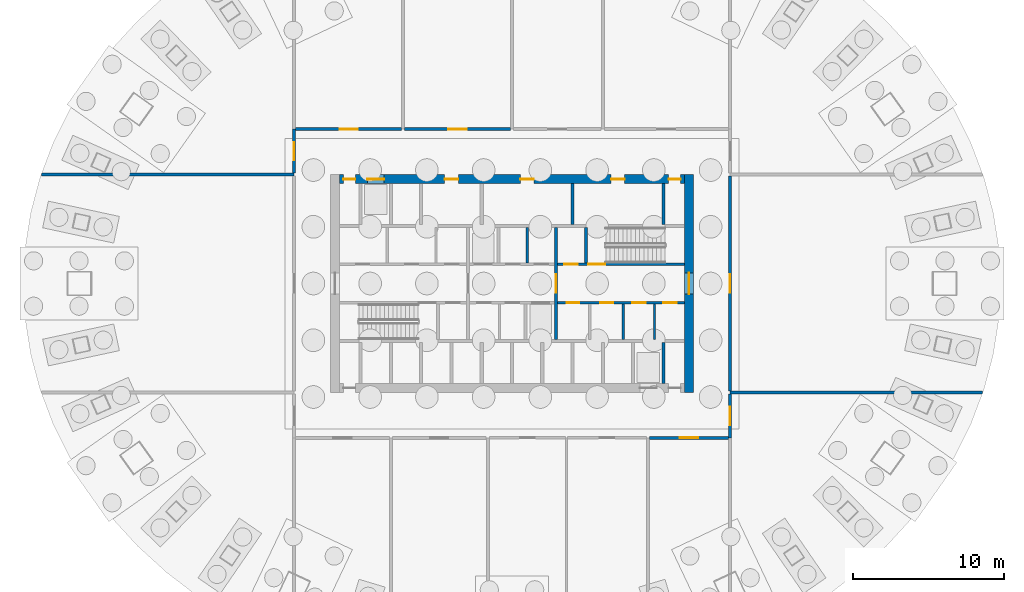
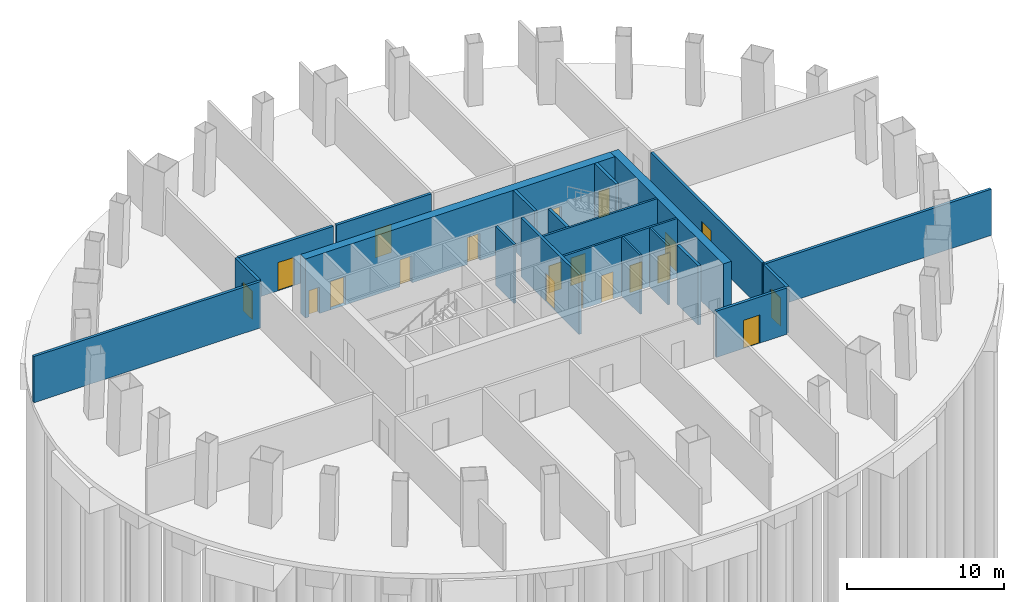
# One storey, part 4 of 7: 20 doors, 20 walls, 20 openings.
"""IFC4 building model written with IfcOpenShell, lengths in metres."""

import ifcopenshell
import ifcopenshell.guid

model = None  # the IFC model being written
_history = None  # IfcOwnerHistory: only IFC2X3 demands one
_inside = {}  # id of a spatial element -> (the spatial element, [elements in it])
_under = {}  # id of a project, library or spatial element -> (it, [spatial elements below it])
_declared = {}  # id of a project -> (the project, [libraries it declares])
_typed = {}  # id of a type object -> (the type object, [elements of that type])
_made_of = {}  # id of a material, layer set ... -> (it, [elements and type objects made of it])


def new_model(schema):
    """Start an empty IFC model of exactly this schema.

    Asked for "IFC4X3", IfcOpenShell would pick the latest addendum, in which some entities
    have other attributes; the version numbers below select the first issue.
    IFC2X3 requires an IfcOwnerHistory on every rooted entity: one is made here for all.
    """
    global model, _history
    if schema == "IFC4X3":
        model = ifcopenshell.file(schema_version=(4, 3, 0, 0))
    else:
        model = ifcopenshell.file(schema=schema)
    _inside.clear()
    _under.clear()
    _declared.clear()
    _typed.clear()
    _made_of.clear()
    _history = None
    if model.schema == "IFC2X3":
        org = make("IfcOrganization", Name="unknown")
        user = make(
            "IfcPersonAndOrganization",
            ThePerson=make("IfcPerson", FamilyName="unknown"),
            TheOrganization=org,
        )
        app = make(
            "IfcApplication",
            ApplicationDeveloper=org,
            Version="unknown",
            ApplicationFullName="unknown",
            ApplicationIdentifier="unknown",
        )
        _history = make(
            "IfcOwnerHistory",
            OwningUser=user,
            OwningApplication=app,
            ChangeAction="ADDED",
            CreationDate=0,
        )
    return model


def make(cls, **values):
    """One entity of the class cls with the attributes given. An attribute that is None is left unset."""
    return model.create_entity(
        cls, **{name: value for name, value in values.items() if value is not None}
    )


def rooted(cls, **values):
    """An entity with a GlobalId (a new one), such as an element, a storey or a relation."""
    return make(cls, GlobalId=ifcopenshell.guid.new(), OwnerHistory=_history, **values)


def si_unit(unit_type, name, prefix=None):
    """IfcSIUnit, for example si_unit("LENGTHUNIT", "METRE", prefix="MILLI")."""
    return make("IfcSIUnit", UnitType=unit_type, Prefix=prefix, Name=name)


def assignment(units):
    """IfcUnitAssignment: the units of a project."""
    return None if units is None else make("IfcUnitAssignment", Units=units)


def point(xyz):
    """IfcCartesianPoint."""
    return None if xyz is None else make("IfcCartesianPoint", Coordinates=xyz)


def direction(xyz):
    """IfcDirection."""
    return None if xyz is None else make("IfcDirection", DirectionRatios=xyz)


def frame(location, z_axis=None, x_axis=None):
    """IfcAxis2Placement3D, a coordinate frame: its origin and axes. An axis left out is left unset."""
    return make(
        "IfcAxis2Placement3D",
        Location=point(location),
        Axis=direction(z_axis),
        RefDirection=direction(x_axis),
    )


def frame_2d(location, x_axis=None):
    """IfcAxis2Placement2D, a coordinate frame in the plane: its origin and x axis."""
    return make(
        "IfcAxis2Placement2D", Location=point(location), RefDirection=direction(x_axis)
    )


def origin():
    """The frame at (0, 0, 0) with its axes left unset."""
    return frame((0.0, 0.0, 0.0))


def place(relative_to, where):
    """IfcLocalPlacement: puts the frame where relative to a parent placement (None: the world)."""
    return make(
        "IfcLocalPlacement", PlacementRelTo=relative_to, RelativePlacement=where
    )


def context(
    kind, dimensions, precision=None, world=None, true_north=None, identifier=None
):
    """IfcGeometricRepresentationContext, for example the 3D "Model" context."""
    return make(
        "IfcGeometricRepresentationContext",
        ContextIdentifier=identifier,
        ContextType=kind,
        CoordinateSpaceDimension=dimensions,
        Precision=precision,
        WorldCoordinateSystem=world,
        TrueNorth=true_north,
    )


def subcontext(parent, identifier, kind, view, scale=None):
    """IfcGeometricRepresentationSubContext, for example "Body" below "Model"."""
    return make(
        "IfcGeometricRepresentationSubContext",
        ContextIdentifier=identifier,
        ContextType=kind,
        ParentContext=parent,
        TargetScale=scale,
        TargetView=view,
    )


def project(units=None, contexts=None):
    """IfcProject with its units and contexts."""
    return rooted(
        "IfcProject",
        Name="project",
        RepresentationContexts=contexts,
        UnitsInContext=assignment(units),
    )


def spatial(cls, under=None, at=None, **own):
    """A site, building, storey or space (cls), placed at a placement, below another one or the project."""
    s = rooted(cls, ObjectPlacement=at, **own)
    if under is not None:
        _under.setdefault(under.id(), (under, []))[1].append(s)
    return s


def profile(cls, at=None, kind="AREA", **sizes):
    """A parametric profile (cls). Its sizes go by their IFC names, for example OverallWidth=200.0."""
    return make(cls, ProfileType=kind, Position=at, **sizes)


def rectangle(**sizes):
    """IfcRectangleProfileDef."""
    return profile("IfcRectangleProfileDef", **sizes)


def extrude(swept, where, along, depth):
    """IfcExtrudedAreaSolid: the profile swept, set in the frame where, extruded along a direction by depth."""
    return make(
        "IfcExtrudedAreaSolid",
        SweptArea=swept,
        Position=where,
        ExtrudedDirection=direction(along),
        Depth=depth,
    )


def shape(context_of_items, identifier, shape_type, items):
    """IfcShapeRepresentation: the items that make up one representation, for example the "Body"."""
    return make(
        "IfcShapeRepresentation",
        ContextOfItems=context_of_items,
        RepresentationIdentifier=identifier,
        RepresentationType=shape_type,
        Items=items,
    )


def material(Name=None, Category=None):
    """IfcMaterial."""
    return make("IfcMaterial", Name=Name, Category=Category)


def layer(
    of_material, thickness, ventilated=None, Name=None, Category=None, Priority=None
):
    """IfcMaterialLayer: one layer of a wall or slab, of a material (None: an air gap)."""
    return make(
        "IfcMaterialLayer",
        Material=of_material,
        LayerThickness=thickness,
        IsVentilated=ventilated,
        Name=Name,
        Category=Category,
        Priority=Priority,
    )


def layer_set(layers, Name=None):
    """IfcMaterialLayerSet."""
    return make("IfcMaterialLayerSet", MaterialLayers=layers, LayerSetName=Name)


def made_of(thing, what):
    """Note that an element or type object is made of a material, layer set ...; save() writes the relation."""
    if what is not None:
        _made_of.setdefault(what.id(), (what, []))[1].append(thing)
    return thing


def type_object(cls, material=None, **own):
    """A type object (cls), such as IfcWallType, which elements share."""
    return made_of(rooted(cls, **own), material)


def element(
    cls,
    number,
    at=None,
    inside=None,
    cuts=None,
    type_object=None,
    material=None,
    context=None,
    identifier="Body",
    shape_type=None,
    held_by="IfcProductDefinitionShape",
    body=None,
    shapes=None,
    **own,
):
    """One element of the class cls, such as IfcWall. Its Tag is "e" and its number.

    at: its placement. inside: the storey or other place that contains it. cuts: it is an
    opening in that element (IfcRelVoidsElement). A single representation is given by context,
    identifier, shape_type and body (its items); several are given by shapes. held_by: the class
    of the entity that holds the representations. save() writes the other relations.
    """
    e = rooted(cls, Tag="e%d" % number, ObjectPlacement=at, **own)
    if body is not None:
        shapes = [shape(context, identifier, shape_type, body)]
    if shapes is not None:
        e.Representation = make(held_by, Representations=shapes)
    if inside is not None:
        _inside.setdefault(inside.id(), (inside, []))[1].append(e)
    if cuts is not None:
        rooted(
            "IfcRelVoidsElement", RelatingBuildingElement=cuts, RelatedOpeningElement=e
        )
    if type_object is not None:
        _typed.setdefault(type_object.id(), (type_object, []))[1].append(e)
    return made_of(e, material)


def fill(opening, filler):
    """IfcRelFillsElement: the door or window that sits in an opening."""
    return rooted(
        "IfcRelFillsElement",
        RelatingOpeningElement=opening,
        RelatedBuildingElement=filler,
    )


def aggregate(whole, parts):
    """IfcRelAggregates: a whole, such as a stair, and the parts it consists of."""
    return rooted("IfcRelAggregates", RelatingObject=whole, RelatedObjects=parts)


def save(model, path):
    """Write the relations noted so far, then the file.

    IfcRelAggregates (storeys below a building ...), IfcRelContainedInSpatialStructure (elements
    in a storey), IfcRelDefinesByType, IfcRelAssociatesMaterial and IfcRelDeclares: one each for
    every whole, place, type object, material and project.
    """
    for whole, parts in _under.values():
        aggregate(whole, parts)
    for where, things in _inside.values():
        rooted(
            "IfcRelContainedInSpatialStructure",
            RelatedElements=things,
            RelatingStructure=where,
        )
    for kind, things in _typed.values():
        rooted("IfcRelDefinesByType", RelatedObjects=things, RelatingType=kind)
    for what, things in _made_of.values():
        rooted("IfcRelAssociatesMaterial", RelatedObjects=things, RelatingMaterial=what)
    for by, libraries in _declared.values():
        rooted("IfcRelDeclares", RelatingContext=by, RelatedDefinitions=libraries)
    model.write(path)


model = new_model("IFC4")

# Units and contexts
model_context = context("Model", 3, precision=1e-05, world=origin(), true_north=direction((0.0, 1.0)))
body_context = subcontext(model_context, "Body", "Model", "MODEL_VIEW")
ifc_project = project(units=[si_unit("LENGTHUNIT", "METRE"), si_unit("AREAUNIT", "SQUARE_METRE"), si_unit("VOLUMEUNIT", "CUBIC_METRE"), si_unit("PLANEANGLEUNIT", "RADIAN"), si_unit("MASSUNIT", "GRAM", prefix="KILO")], contexts=[model_context])

# Site, building, storey
site_placement = place(None, origin())
site = spatial("IfcSite", under=ifc_project, at=site_placement, CompositionType="ELEMENT")
building_placement = place(site_placement, origin())
building = spatial("IfcBuilding", under=site, at=building_placement, Name="Siaravel Broadcast Tower", CompositionType="ELEMENT")
storey_placement = place(building_placement, frame((0.0, 0.0, -5.0)))
storey = spatial("IfcBuildingStorey", under=building, at=storey_placement, Name="B1", CompositionType="ELEMENT", Elevation=-5.0)

# Walls
ifc_material_1 = material(Name="Concrete blockwork", Category="masonry")
ifc_layer_1 = layer(ifc_material_1, 0.14990234375)
ifc_layer_set_1 = layer_set([ifc_layer_1], Name="Concrete blockwork")
wall_type_1 = type_object("IfcWallType", Name="Core partition 150", PredefinedType="PARTITIONING", material=ifc_layer_set_1)
for number, where, z_axis, x_axis, name in (
    (1, (7.35888671875, -3.699951171875, 0.0), (0.0, 0.0, 1.0), (0.0, 1.0, 0.0), "B1 core partition PSE1"),
    (2, (9.4169921875, -3.699951171875, 0.0), (0.0, 0.0, 1.0), (0.0, 1.0, 0.0), "B1 core partition PSE2"),
    (3, (1.0, 1.35009765625, 0.0), (0.0, 0.0, 1.0), (0.0, 1.0, 0.0), "B1 core partition PNM0"),
):
    element("IfcWall", number, at=place(storey_placement, frame(where, z_axis=z_axis, x_axis=x_axis)), inside=storey, type_object=wall_type_1, Name=name, PredefinedType="PARTITIONING", context=body_context, shape_type="SweptSolid", body=[
        extrude(rectangle(XDim=2.349853515625, YDim=0.14990234375, at=frame_2d((1.1748046875, 0.0))), origin(), (0.0, 0.0, 1.0), 4.60009765625),
    ])
ifc_layer_2 = layer(ifc_material_1, 0.199951171875)
ifc_layer_set_2 = layer_set([ifc_layer_2], Name="Concrete blockwork")
wall_type_2 = type_object("IfcWallType", Name="Core partition 200", PredefinedType="PARTITIONING", material=ifc_layer_set_2)
wall_1_placement = place(storey_placement, frame((4.0, 3.89990234375, 0.0), z_axis=(0.0, 0.0, 1.0), x_axis=(0.0, 1.0, 0.0)))
element("IfcWall", 4, at=wall_1_placement, inside=storey, type_object=wall_type_2, Name="B1 core partition PFN4", PredefinedType="PARTITIONING", context=body_context, shape_type="SweptSolid", body=[
    extrude(rectangle(XDim=2.7001953125, YDim=0.199951171875, at=frame_2d((1.35009765625, 0.0))), origin(), (0.0, 0.0, 1.0), 4.60009765625),
])

# Wall, opening, door
ifc_material_2 = material(Name="Concrete C60/75", Category="concrete")
ifc_layer_3 = layer(ifc_material_2, 0.60009765625)
ifc_layer_set_3 = layer_set([ifc_layer_3], Name="Concrete C60/75")
wall_type_3 = type_object("IfcWallType", Name="Core wall 600", PredefinedType="SHEAR", material=ifc_layer_set_3)
wall_2_placement = place(storey_placement, frame((11.699951171875, -7.199951171875, 0.0), z_axis=(0.0, 0.0, 1.0), x_axis=(0.0, 1.0, 0.0)))
wall_2 = element("IfcWall", 5, at=wall_2_placement, inside=storey, type_object=wall_type_3, Name="B1 core wall OE", PredefinedType="SHEAR", context=body_context, shape_type="SweptSolid", body=[
    extrude(rectangle(XDim=14.39990234375, YDim=0.60009765625, at=frame_2d((7.199951171875, 0.0))), origin(), (0.0, 0.0, 1.0), 4.60009765625),
])
opening_1_placement = place(wall_2_placement, frame((6.5, 0.0, 0.0)))
opening_1 = element("IfcOpeningElement", 6, at=opening_1_placement, cuts=wall_2, Name="Opening B1-DX-E", PredefinedType="OPENING", context=body_context, shape_type="SweptSolid", body=[
    extrude(rectangle(XDim=1.39990234375, YDim=2.199951171875, at=frame_2d((0.699951171875, 1.10009765625))), frame((0.0, 0.31005859375, 0.0), z_axis=(0.0, -1.0, 0.0), x_axis=(1.0, 0.0, 0.0)), (0.0, 0.0, 1.0), 0.6201171875),
])
ifc_material_3 = material(Name="Steel", Category="steel")
door_type_1 = type_object("IfcDoorType", Name="Core exit door 1400", OperationType="DOUBLE_DOOR_SINGLE_SWING", PredefinedType="DOOR", material=ifc_material_3)
door_1_placement = place(opening_1_placement, origin())
door_1 = element("IfcDoor", 7, at=door_1_placement, inside=storey, type_object=door_type_1, Name="B1 door DX-E", OperationType="DOUBLE_DOOR_SINGLE_SWING", OverallHeight=2.199951171875, OverallWidth=1.39990234375, PredefinedType="DOOR", context=body_context, shape_type="SweptSolid", body=[
    extrude(rectangle(XDim=1.39990234375, YDim=2.199951171875, at=frame_2d((0.699951171875, 1.10009765625))), frame((0.0, 0.02490234375, 0.0), z_axis=(0.0, -1.0, 0.0), x_axis=(1.0, 0.0, 0.0)), (0.0, 0.0, 1.0), 0.050048828125),
])
fill(opening_1, door_1)

# Wall, openings, doors
wall_3_placement = place(storey_placement, frame((-11.39990234375, 6.89990234375, 0.0), z_axis=(0.0, 0.0, 1.0), x_axis=(1.0, 0.0, 0.0)))
wall_3 = element("IfcWall", 8, at=wall_3_placement, inside=storey, type_object=wall_type_3, Name="B1 core wall ON", PredefinedType="SHEAR", context=body_context, shape_type="SweptSolid", body=[
    extrude(rectangle(XDim=22.7998046875, YDim=0.60009765625, at=frame_2d((11.39990234375, 0.0))), origin(), (0.0, 0.0, 1.0), 4.60009765625),
])
opening_2_placement = place(wall_3_placement, frame((1.85009765625, 0.0, 0.0)))
opening_2 = element("IfcOpeningElement", 9, at=opening_2_placement, cuts=wall_3, Name="Opening LD-SV2-B1", PredefinedType="OPENING", context=body_context, shape_type="SweptSolid", body=[
    extrude(rectangle(XDim=1.10009765625, YDim=2.199951171875, at=frame_2d((0.550048828125, 1.10009765625))), frame((0.0, 0.31005859375, 0.0), z_axis=(0.0, -1.0, 0.0), x_axis=(1.0, 0.0, 0.0)), (0.0, 0.0, 1.0), 0.6201171875),
])
opening_3_placement = place(wall_3_placement, frame((6.949951171875, 0.0, 0.0)))
opening_3 = element("IfcOpeningElement", 10, at=opening_3_placement, cuts=wall_3, Name="Opening B1-DFN2", PredefinedType="OPENING", context=body_context, shape_type="SweptSolid", body=[
    extrude(rectangle(XDim=0.89990234375, YDim=2.10009765625, at=frame_2d((0.449951171875, 1.050048828125))), frame((0.0, 0.31005859375, 0.0), z_axis=(0.0, -1.0, 0.0), x_axis=(1.0, 0.0, 0.0)), (0.0, 0.0, 1.0), 0.6201171875),
])
opening_4_placement = place(wall_3_placement, frame((11.949951171875, 0.0, 0.0)))
opening_4 = element("IfcOpeningElement", 11, at=opening_4_placement, cuts=wall_3, Name="Opening B1-DFN4", PredefinedType="OPENING", context=body_context, shape_type="SweptSolid", body=[
    extrude(rectangle(XDim=0.89990234375, YDim=2.10009765625, at=frame_2d((0.449951171875, 1.050048828125))), frame((0.0, 0.31005859375, 0.0), z_axis=(0.0, -1.0, 0.0), x_axis=(1.0, 0.0, 0.0)), (0.0, 0.0, 1.0), 0.6201171875),
])
opening_5_placement = place(wall_3_placement, frame((17.949951171875, 0.0, 0.0)))
opening_5 = element("IfcOpeningElement", 12, at=opening_5_placement, cuts=wall_3, Name="Opening B1-DFN7", PredefinedType="OPENING", context=body_context, shape_type="SweptSolid", body=[
    extrude(rectangle(XDim=0.89990234375, YDim=2.10009765625, at=frame_2d((0.449951171875, 1.050048828125))), frame((0.0, 0.31005859375, 0.0), z_axis=(0.0, -1.0, 0.0), x_axis=(1.0, 0.0, 0.0)), (0.0, 0.0, 1.0), 0.6201171875),
])
opening_6_placement = place(wall_3_placement, frame((0.25, 0.0, 0.0)))
opening_6 = element("IfcOpeningElement", 13, at=opening_6_placement, cuts=wall_3, Name="Opening B1-DRNW", PredefinedType="OPENING", context=body_context, shape_type="SweptSolid", body=[
    extrude(rectangle(XDim=0.800048828125, YDim=2.050048828125, at=frame_2d((0.39990234375, 1.02490234375))), frame((0.0, 0.31005859375, 0.0), z_axis=(0.0, -1.0, 0.0), x_axis=(1.0, 0.0, 0.0)), (0.0, 0.0, 1.0), 0.6201171875),
])
opening_7_placement = place(wall_3_placement, frame((21.75, 0.0, 0.0)))
opening_7 = element("IfcOpeningElement", 14, at=opening_7_placement, cuts=wall_3, Name="Opening B1-DRNE", PredefinedType="OPENING", context=body_context, shape_type="SweptSolid", body=[
    extrude(rectangle(XDim=0.800048828125, YDim=2.050048828125, at=frame_2d((0.39990234375, 1.02490234375))), frame((0.0, 0.31005859375, 0.0), z_axis=(0.0, -1.0, 0.0), x_axis=(1.0, 0.0, 0.0)), (0.0, 0.0, 1.0), 0.6201171875),
])
ifc_material_4 = material(Name="Timber veneer", Category="wood")
door_type_2 = type_object("IfcDoorType", Name="Core room door 900", OperationType="SINGLE_SWING_LEFT", PredefinedType="DOOR", material=ifc_material_4)
door_2_placement = place(opening_3_placement, origin())
door_2 = element("IfcDoor", 15, at=door_2_placement, inside=storey, type_object=door_type_2, Name="B1 door DFN2", OperationType="SINGLE_SWING_LEFT", OverallHeight=2.10009765625, OverallWidth=0.89990234375, PredefinedType="DOOR", context=body_context, shape_type="SweptSolid", body=[
    extrude(rectangle(XDim=0.89990234375, YDim=2.10009765625, at=frame_2d((0.449951171875, 1.050048828125))), frame((0.0, 0.02490234375, 0.0), z_axis=(0.0, -1.0, 0.0), x_axis=(1.0, 0.0, 0.0)), (0.0, 0.0, 1.0), 0.050048828125),
])
fill(opening_3, door_2)
door_3_placement = place(opening_4_placement, origin())
door_3 = element("IfcDoor", 16, at=door_3_placement, inside=storey, type_object=door_type_2, Name="B1 door DFN4", OperationType="SINGLE_SWING_LEFT", OverallHeight=2.10009765625, OverallWidth=0.89990234375, PredefinedType="DOOR", context=body_context, shape_type="SweptSolid", body=[
    extrude(rectangle(XDim=0.89990234375, YDim=2.10009765625, at=frame_2d((0.449951171875, 1.050048828125))), frame((0.0, 0.02490234375, 0.0), z_axis=(0.0, -1.0, 0.0), x_axis=(1.0, 0.0, 0.0)), (0.0, 0.0, 1.0), 0.050048828125),
])
fill(opening_4, door_3)
door_4_placement = place(opening_5_placement, origin())
door_4 = element("IfcDoor", 17, at=door_4_placement, inside=storey, type_object=door_type_2, Name="B1 door DFN7", OperationType="SINGLE_SWING_LEFT", OverallHeight=2.10009765625, OverallWidth=0.89990234375, PredefinedType="DOOR", context=body_context, shape_type="SweptSolid", body=[
    extrude(rectangle(XDim=0.89990234375, YDim=2.10009765625, at=frame_2d((0.449951171875, 1.050048828125))), frame((0.0, 0.02490234375, 0.0), z_axis=(0.0, -1.0, 0.0), x_axis=(1.0, 0.0, 0.0)), (0.0, 0.0, 1.0), 0.050048828125),
])
fill(opening_5, door_4)
door_type_3 = type_object("IfcDoorType", Name="Riser door 800", OperationType="SINGLE_SWING_LEFT", PredefinedType="DOOR", material=ifc_material_3)
door_5_placement = place(opening_6_placement, origin())
door_5 = element("IfcDoor", 18, at=door_5_placement, inside=storey, type_object=door_type_3, Name="B1 door DRNW", OperationType="SINGLE_SWING_LEFT", OverallHeight=2.050048828125, OverallWidth=0.800048828125, PredefinedType="DOOR", context=body_context, shape_type="SweptSolid", body=[
    extrude(rectangle(XDim=0.800048828125, YDim=2.050048828125, at=frame_2d((0.39990234375, 1.02490234375))), frame((0.0, 0.02490234375, 0.0), z_axis=(0.0, -1.0, 0.0), x_axis=(1.0, 0.0, 0.0)), (0.0, 0.0, 1.0), 0.050048828125),
])
fill(opening_6, door_5)
door_6_placement = place(opening_7_placement, origin())
door_6 = element("IfcDoor", 19, at=door_6_placement, inside=storey, type_object=door_type_3, Name="B1 door DRNE", OperationType="SINGLE_SWING_LEFT", OverallHeight=2.050048828125, OverallWidth=0.800048828125, PredefinedType="DOOR", context=body_context, shape_type="SweptSolid", body=[
    extrude(rectangle(XDim=0.800048828125, YDim=2.050048828125, at=frame_2d((0.39990234375, 1.02490234375))), frame((0.0, 0.02490234375, 0.0), z_axis=(0.0, -1.0, 0.0), x_axis=(1.0, 0.0, 0.0)), (0.0, 0.0, 1.0), 0.050048828125),
])
fill(opening_7, door_6)
ifc_material_5 = material(Name="Stainless steel 316L", Category="steel")
door_type_4 = type_object("IfcDoorType", Name="Service lift landing door 1100", OperationType="DOUBLE_DOOR_SLIDING", PredefinedType="DOOR", material=ifc_material_5)
door_7_placement = place(opening_2_placement, origin())
door_7 = element("IfcDoor", 20, at=door_7_placement, inside=storey, type_object=door_type_4, Name="Landing door SV2 B1", OperationType="DOUBLE_DOOR_SLIDING", OverallHeight=2.199951171875, OverallWidth=1.10009765625, PredefinedType="DOOR", context=body_context, shape_type="SweptSolid", body=[
    extrude(rectangle(XDim=1.10009765625, YDim=2.199951171875, at=frame_2d((0.550048828125, 1.10009765625))), frame((0.0, 0.02490234375, 0.0), z_axis=(0.0, -1.0, 0.0), x_axis=(1.0, 0.0, 0.0)), (0.0, 0.0, 1.0), 0.050048828125),
])
fill(opening_2, door_7)

ifc_material_6 = material(Name="Gypsum board partition", Category="gypsum")
ifc_layer_4 = layer(ifc_material_6, 0.14990234375)
ifc_layer_set_4 = layer_set([ifc_layer_4], Name="Gypsum board partition")
wall_type_4 = type_object("IfcWallType", Name="Corridor wall 150", PredefinedType="PARTITIONING", material=ifc_layer_set_4)
wall_4_placement = place(storey_placement, frame((3.0, -1.27490234375, 0.0), z_axis=(0.0, 0.0, 1.0), x_axis=(1.0, 0.0, 0.0)))
wall_4 = element("IfcWall", 21, at=wall_4_placement, inside=storey, type_object=wall_type_4, Name="B1 core partition CSE", PredefinedType="PARTITIONING", context=body_context, shape_type="SweptSolid", body=[
    extrude(rectangle(XDim=8.39990234375, YDim=0.14990234375, at=frame_2d((4.199951171875, 0.0))), origin(), (0.0, 0.0, 1.0), 4.60009765625),
])
opening_8_placement = place(wall_4_placement, frame((0.6083984375, 0.0, 0.0)))
opening_8 = element("IfcOpeningElement", 22, at=opening_8_placement, cuts=wall_4, Name="Opening B1-DSE0", PredefinedType="OPENING", context=body_context, shape_type="SweptSolid", body=[
    extrude(rectangle(XDim=0.85009765625, YDim=2.10009765625, at=frame_2d((0.425048828125, 1.050048828125))), frame((0.0, 0.0849609375, 0.0), z_axis=(0.0, -1.0, 0.0), x_axis=(1.0, 0.0, 0.0)), (0.0, 0.0, 1.0), 0.169921875),
])
opening_9_placement = place(wall_4_placement, frame((2.825439453125, 0.0, 0.0)))
opening_9 = element("IfcOpeningElement", 23, at=opening_9_placement, cuts=wall_4, Name="Opening B1-DSE1", PredefinedType="OPENING", context=body_context, shape_type="SweptSolid", body=[
    extrude(rectangle(XDim=0.85009765625, YDim=2.10009765625, at=frame_2d((0.425048828125, 1.050048828125))), frame((0.0, 0.0849609375, 0.0), z_axis=(0.0, -1.0, 0.0), x_axis=(1.0, 0.0, 0.0)), (0.0, 0.0, 1.0), 0.169921875),
])
opening_10_placement = place(wall_4_placement, frame((4.93798828125, 0.0, 0.0)))
opening_10 = element("IfcOpeningElement", 24, at=opening_10_placement, cuts=wall_4, Name="Opening B1-DSE2", PredefinedType="OPENING", context=body_context, shape_type="SweptSolid", body=[
    extrude(rectangle(XDim=0.89990234375, YDim=2.10009765625, at=frame_2d((0.449951171875, 1.050048828125))), frame((0.0, 0.0849609375, 0.0), z_axis=(0.0, -1.0, 0.0), x_axis=(1.0, 0.0, 0.0)), (0.0, 0.0, 1.0), 0.169921875),
])
opening_11_placement = place(wall_4_placement, frame((6.99609375, 0.0, 0.0)))
opening_11 = element("IfcOpeningElement", 25, at=opening_11_placement, cuts=wall_4, Name="Opening B1-DSE3", PredefinedType="OPENING", context=body_context, shape_type="SweptSolid", body=[
    extrude(rectangle(XDim=0.89990234375, YDim=2.10009765625, at=frame_2d((0.449951171875, 1.050048828125))), frame((0.0, 0.0849609375, 0.0), z_axis=(0.0, -1.0, 0.0), x_axis=(1.0, 0.0, 0.0)), (0.0, 0.0, 1.0), 0.169921875),
])
door_8_placement = place(opening_10_placement, origin())
door_8 = element("IfcDoor", 26, at=door_8_placement, inside=storey, type_object=door_type_2, Name="B1 door DSE2", OperationType="SINGLE_SWING_LEFT", OverallHeight=2.10009765625, OverallWidth=0.89990234375, PredefinedType="DOOR", context=body_context, shape_type="SweptSolid", body=[
    extrude(rectangle(XDim=0.89990234375, YDim=2.10009765625, at=frame_2d((0.449951171875, 1.050048828125))), frame((0.0, 0.02490234375, 0.0), z_axis=(0.0, -1.0, 0.0), x_axis=(1.0, 0.0, 0.0)), (0.0, 0.0, 1.0), 0.050048828125),
])
fill(opening_10, door_8)
door_9_placement = place(opening_11_placement, origin())
door_9 = element("IfcDoor", 27, at=door_9_placement, inside=storey, type_object=door_type_2, Name="B1 door DSE3", OperationType="SINGLE_SWING_LEFT", OverallHeight=2.10009765625, OverallWidth=0.89990234375, PredefinedType="DOOR", context=body_context, shape_type="SweptSolid", body=[
    extrude(rectangle(XDim=0.89990234375, YDim=2.10009765625, at=frame_2d((0.449951171875, 1.050048828125))), frame((0.0, 0.02490234375, 0.0), z_axis=(0.0, -1.0, 0.0), x_axis=(1.0, 0.0, 0.0)), (0.0, 0.0, 1.0), 0.050048828125),
])
fill(opening_11, door_9)
door_type_5 = type_object("IfcDoorType", Name="Core toilet door 850", OperationType="SINGLE_SWING_LEFT", PredefinedType="DOOR", material=ifc_material_4)
door_10_placement = place(opening_8_placement, origin())
door_10 = element("IfcDoor", 28, at=door_10_placement, inside=storey, type_object=door_type_5, Name="B1 door DSE0", OperationType="SINGLE_SWING_LEFT", OverallHeight=2.10009765625, OverallWidth=0.85009765625, PredefinedType="DOOR", context=body_context, shape_type="SweptSolid", body=[
    extrude(rectangle(XDim=0.85009765625, YDim=2.10009765625, at=frame_2d((0.425048828125, 1.050048828125))), frame((0.0, 0.02490234375, 0.0), z_axis=(0.0, -1.0, 0.0), x_axis=(1.0, 0.0, 0.0)), (0.0, 0.0, 1.0), 0.050048828125),
])
fill(opening_8, door_10)
door_11_placement = place(opening_9_placement, origin())
door_11 = element("IfcDoor", 29, at=door_11_placement, inside=storey, type_object=door_type_5, Name="B1 door DSE1", OperationType="SINGLE_SWING_LEFT", OverallHeight=2.10009765625, OverallWidth=0.85009765625, PredefinedType="DOOR", context=body_context, shape_type="SweptSolid", body=[
    extrude(rectangle(XDim=0.85009765625, YDim=2.10009765625, at=frame_2d((0.425048828125, 1.050048828125))), frame((0.0, 0.02490234375, 0.0), z_axis=(0.0, -1.0, 0.0), x_axis=(1.0, 0.0, 0.0)), (0.0, 0.0, 1.0), 0.050048828125),
])
fill(opening_9, door_11)

# Walls
ifc_layer_5 = layer(ifc_material_1, 0.199951171875)
ifc_layer_set_5 = layer_set([ifc_layer_5], Name="Concrete blockwork")
wall_type_5 = type_object("IfcWallType", Name="Plant room wall 200", PredefinedType="PARTITIONING", material=ifc_layer_set_5)
for number, where, z_axis, x_axis, name in (
    (30, (-14.39990234375, 7.199951171875, 0.0), (0.0, 0.0, 1.0), (-1.0, 0.0, 0.0), "B1 partition 4"),
    (31, (31.099609375, -7.199951171875, 0.0), (0.0, 0.0, 1.0), (-1.0, 0.0, 0.0), "B1 partition 5"),
):
    element("IfcWall", number, at=place(storey_placement, frame(where, z_axis=z_axis, x_axis=x_axis)), inside=storey, type_object=wall_type_5, Name=name, PredefinedType="PARTITIONING", context=body_context, shape_type="SweptSolid", body=[
        extrude(rectangle(XDim=16.69970703125, YDim=0.199951171875, at=frame_2d((8.349853515625, 0.0))), origin(), (0.0, 0.0, 1.0), 3.60009765625),
    ])

# Wall, opening, door
wall_5_placement = place(storey_placement, frame((14.39990234375, -7.097900390625, 0.0), z_axis=(0.0, 0.0, 1.0), x_axis=(0.0, 1.0, 0.0)))
wall_5 = element("IfcWall", 32, at=wall_5_placement, inside=storey, type_object=wall_type_5, Name="B1 partition 13", PredefinedType="PARTITIONING", context=body_context, shape_type="SweptSolid", body=[
    extrude(rectangle(XDim=14.19580078125, YDim=0.199951171875, at=frame_2d((7.097900390625, 0.0))), origin(), (0.0, 0.0, 1.0), 3.60009765625),
])
opening_12_placement = place(wall_5_placement, frame((6.498046875, 0.0, 0.0)))
opening_12 = element("IfcOpeningElement", 33, at=opening_12_placement, cuts=wall_5, Name="Opening B1-005", PredefinedType="OPENING", context=body_context, shape_type="SweptSolid", body=[
    extrude(rectangle(XDim=1.199951171875, YDim=2.199951171875, at=frame_2d((0.60009765625, 1.10009765625))), frame((0.0, 0.10986328125, 0.0), z_axis=(0.0, -1.0, 0.0), x_axis=(1.0, 0.0, 0.0)), (0.0, 0.0, 1.0), 0.219970703125),
])
door_type_6 = type_object("IfcDoorType", Name="Plant room door 1200", OperationType="DOUBLE_DOOR_SINGLE_SWING", PredefinedType="DOOR", material=ifc_material_3)
door_12_placement = place(opening_12_placement, origin())
door_12 = element("IfcDoor", 34, at=door_12_placement, inside=storey, type_object=door_type_6, Name="B1 door to High voltage switch room", OperationType="DOUBLE_DOOR_SINGLE_SWING", OverallHeight=2.199951171875, OverallWidth=1.199951171875, PredefinedType="DOOR", context=body_context, shape_type="SweptSolid", body=[
    extrude(rectangle(XDim=1.199951171875, YDim=2.199951171875, at=frame_2d((0.60009765625, 1.10009765625))), frame((0.0, 0.02490234375, 0.0), z_axis=(0.0, -1.0, 0.0), x_axis=(1.0, 0.0, 0.0)), (0.0, 0.0, 1.0), 0.050048828125),
])
fill(opening_12, door_12)

wall_6_placement = place(storey_placement, frame((-7.302001953125, 10.199951171875, 0.0), z_axis=(0.0, 0.0, 1.0), x_axis=(-1.0, 0.0, 0.0)))
wall_6 = element("IfcWall", 35, at=wall_6_placement, inside=storey, type_object=wall_type_5, Name="B1 partition 19", PredefinedType="PARTITIONING", context=body_context, shape_type="SweptSolid", body=[
    extrude(rectangle(XDim=6.99609375, YDim=0.199951171875, at=frame_2d((3.498046875, 0.0))), origin(), (0.0, 0.0, 1.0), 3.60009765625),
])
opening_13_placement = place(wall_6_placement, frame((2.89794921875, 0.0, 0.0)))
opening_13 = element("IfcOpeningElement", 36, at=opening_13_placement, cuts=wall_6, Name="Opening B1-007", PredefinedType="OPENING", context=body_context, shape_type="SweptSolid", body=[
    extrude(rectangle(XDim=1.199951171875, YDim=2.199951171875, at=frame_2d((0.60009765625, 1.10009765625))), frame((0.0, 0.10986328125, 0.0), z_axis=(0.0, -1.0, 0.0), x_axis=(1.0, 0.0, 0.0)), (0.0, 0.0, 1.0), 0.219970703125),
])
door_13_placement = place(opening_13_placement, origin())
door_13 = element("IfcDoor", 37, at=door_13_placement, inside=storey, type_object=door_type_6, Name="B1 door to Water tank room", OperationType="DOUBLE_DOOR_SINGLE_SWING", OverallHeight=2.199951171875, OverallWidth=1.199951171875, PredefinedType="DOOR", context=body_context, shape_type="SweptSolid", body=[
    extrude(rectangle(XDim=1.199951171875, YDim=2.199951171875, at=frame_2d((0.60009765625, 1.10009765625))), frame((0.0, 0.02490234375, 0.0), z_axis=(0.0, -1.0, 0.0), x_axis=(1.0, 0.0, 0.0)), (0.0, 0.0, 1.0), 0.050048828125),
])
fill(opening_13, door_13)

wall_7_placement = place(storey_placement, frame((-0.10205078125, 10.199951171875, 0.0), z_axis=(0.0, 0.0, 1.0), x_axis=(-1.0, 0.0, 0.0)))
wall_7 = element("IfcWall", 38, at=wall_7_placement, inside=storey, type_object=wall_type_5, Name="B1 partition 20", PredefinedType="PARTITIONING", context=body_context, shape_type="SweptSolid", body=[
    extrude(rectangle(XDim=6.995849609375, YDim=0.199951171875, at=frame_2d((3.498046875, 0.0))), origin(), (0.0, 0.0, 1.0), 3.60009765625),
])
opening_14_placement = place(wall_7_placement, frame((2.89794921875, 0.0, 0.0)))
opening_14 = element("IfcOpeningElement", 39, at=opening_14_placement, cuts=wall_7, Name="Opening B1-008", PredefinedType="OPENING", context=body_context, shape_type="SweptSolid", body=[
    extrude(rectangle(XDim=1.199951171875, YDim=2.199951171875, at=frame_2d((0.60009765625, 1.10009765625))), frame((0.0, 0.10986328125, 0.0), z_axis=(0.0, -1.0, 0.0), x_axis=(1.0, 0.0, 0.0)), (0.0, 0.0, 1.0), 0.219970703125),
])
door_14_placement = place(opening_14_placement, origin())
door_14 = element("IfcDoor", 40, at=door_14_placement, inside=storey, type_object=door_type_6, Name="B1 door to Water tank room", OperationType="DOUBLE_DOOR_SINGLE_SWING", OverallHeight=2.199951171875, OverallWidth=1.199951171875, PredefinedType="DOOR", context=body_context, shape_type="SweptSolid", body=[
    extrude(rectangle(XDim=1.199951171875, YDim=2.199951171875, at=frame_2d((0.60009765625, 1.10009765625))), frame((0.0, 0.02490234375, 0.0), z_axis=(0.0, -1.0, 0.0), x_axis=(1.0, 0.0, 0.0)), (0.0, 0.0, 1.0), 0.050048828125),
])
fill(opening_14, door_14)

wall_8_placement = place(storey_placement, frame((9.10205078125, -10.199951171875, 0.0), z_axis=(0.0, 0.0, 1.0), x_axis=(1.0, 0.0, 0.0)))
wall_8 = element("IfcWall", 41, at=wall_8_placement, inside=storey, type_object=wall_type_5, Name="B1 partition 25", PredefinedType="PARTITIONING", context=body_context, shape_type="SweptSolid", body=[
    extrude(rectangle(XDim=5.196044921875, YDim=0.199951171875, at=frame_2d((2.59814453125, 0.0))), origin(), (0.0, 0.0, 1.0), 3.60009765625),
])
opening_15_placement = place(wall_8_placement, frame((1.998046875, 0.0, 0.0)))
opening_15 = element("IfcOpeningElement", 42, at=opening_15_placement, cuts=wall_8, Name="Opening B1-015", PredefinedType="OPENING", context=body_context, shape_type="SweptSolid", body=[
    extrude(rectangle(XDim=1.199951171875, YDim=2.199951171875, at=frame_2d((0.60009765625, 1.10009765625))), frame((0.0, 0.10986328125, 0.0), z_axis=(0.0, -1.0, 0.0), x_axis=(1.0, 0.0, 0.0)), (0.0, 0.0, 1.0), 0.219970703125),
])
door_15_placement = place(opening_15_placement, origin())
door_15 = element("IfcDoor", 43, at=door_15_placement, inside=storey, type_object=door_type_6, Name="B1 door to Battery room", OperationType="DOUBLE_DOOR_SINGLE_SWING", OverallHeight=2.199951171875, OverallWidth=1.199951171875, PredefinedType="DOOR", context=body_context, shape_type="SweptSolid", body=[
    extrude(rectangle(XDim=1.199951171875, YDim=2.199951171875, at=frame_2d((0.60009765625, 1.10009765625))), frame((0.0, 0.02490234375, 0.0), z_axis=(0.0, -1.0, 0.0), x_axis=(1.0, 0.0, 0.0)), (0.0, 0.0, 1.0), 0.050048828125),
])
fill(opening_15, door_15)

wall_9_placement = place(storey_placement, frame((-14.39990234375, 10.198974609375, 0.0), z_axis=(0.0, 0.0, 1.0), x_axis=(0.0, -1.0, 0.0)))
wall_9 = element("IfcWall", 44, at=wall_9_placement, inside=storey, type_object=wall_type_5, Name="B1 partition 28", PredefinedType="PARTITIONING", context=body_context, shape_type="SweptSolid", body=[
    extrude(rectangle(XDim=2.89697265625, YDim=0.199951171875, at=frame_2d((1.448486328125, 0.0))), origin(), (0.0, 0.0, 1.0), 3.60009765625),
])
opening_16_placement = place(wall_9_placement, frame((0.848388671875, 0.0, 0.0)))
opening_16 = element("IfcOpeningElement", 45, at=opening_16_placement, cuts=wall_9, Name="Opening B1-003", PredefinedType="OPENING", context=body_context, shape_type="SweptSolid", body=[
    extrude(rectangle(XDim=1.199951171875, YDim=2.199951171875, at=frame_2d((0.60009765625, 1.10009765625))), frame((0.0, 0.10986328125, 0.0), z_axis=(0.0, -1.0, 0.0), x_axis=(1.0, 0.0, 0.0)), (0.0, 0.0, 1.0), 0.219970703125),
])
door_16_placement = place(opening_16_placement, origin())
door_16 = element("IfcDoor", 46, at=door_16_placement, inside=storey, type_object=door_type_6, Name="B1 door to Fuel tank room", OperationType="DOUBLE_DOOR_SINGLE_SWING", OverallHeight=2.199951171875, OverallWidth=1.199951171875, PredefinedType="DOOR", context=body_context, shape_type="SweptSolid", body=[
    extrude(rectangle(XDim=1.199951171875, YDim=2.199951171875, at=frame_2d((0.60009765625, 1.10009765625))), frame((0.0, 0.02490234375, 0.0), z_axis=(0.0, -1.0, 0.0), x_axis=(1.0, 0.0, 0.0)), (0.0, 0.0, 1.0), 0.050048828125),
])
fill(opening_16, door_16)

wall_10_placement = place(storey_placement, frame((14.39990234375, -10.198974609375, 0.0), z_axis=(0.0, 0.0, 1.0), x_axis=(0.0, 1.0, 0.0)))
wall_10 = element("IfcWall", 47, at=wall_10_placement, inside=storey, type_object=wall_type_5, Name="B1 partition 29", PredefinedType="PARTITIONING", context=body_context, shape_type="SweptSolid", body=[
    extrude(rectangle(XDim=2.89697265625, YDim=0.199951171875, at=frame_2d((1.448486328125, 0.0))), origin(), (0.0, 0.0, 1.0), 3.60009765625),
])
opening_17_placement = place(wall_10_placement, frame((0.848388671875, 0.0, 0.0)))
opening_17 = element("IfcOpeningElement", 48, at=opening_17_placement, cuts=wall_10, Name="Opening B1-004", PredefinedType="OPENING", context=body_context, shape_type="SweptSolid", body=[
    extrude(rectangle(XDim=1.199951171875, YDim=2.199951171875, at=frame_2d((0.60009765625, 1.10009765625))), frame((0.0, 0.10986328125, 0.0), z_axis=(0.0, -1.0, 0.0), x_axis=(1.0, 0.0, 0.0)), (0.0, 0.0, 1.0), 0.219970703125),
])
door_17_placement = place(opening_17_placement, origin())
door_17 = element("IfcDoor", 49, at=door_17_placement, inside=storey, type_object=door_type_6, Name="B1 door to Transformer room", OperationType="DOUBLE_DOOR_SINGLE_SWING", OverallHeight=2.199951171875, OverallWidth=1.199951171875, PredefinedType="DOOR", context=body_context, shape_type="SweptSolid", body=[
    extrude(rectangle(XDim=1.199951171875, YDim=2.199951171875, at=frame_2d((0.60009765625, 1.10009765625))), frame((0.0, 0.02490234375, 0.0), z_axis=(0.0, -1.0, 0.0), x_axis=(1.0, 0.0, 0.0)), (0.0, 0.0, 1.0), 0.050048828125),
])
fill(opening_17, door_17)

# Wall, openings, doors
ifc_layer_6 = layer(ifc_material_2, 0.14990234375)
ifc_layer_set_6 = layer_set([ifc_layer_6], Name="Concrete C60/75")
wall_type_6 = type_object("IfcWallType", Name="Shaft wall 150", PredefinedType="SHEAR", material=ifc_layer_set_6)
wall_11_placement = place(storey_placement, frame((3.0, 1.27490234375, 0.0), z_axis=(0.0, 0.0, 1.0), x_axis=(1.0, 0.0, 0.0)))
wall_11 = element("IfcWall", 50, at=wall_11_placement, inside=storey, type_object=wall_type_6, Name="B1 core wall CNE", PredefinedType="SHEAR", context=body_context, shape_type="SweptSolid", body=[
    extrude(rectangle(XDim=8.39990234375, YDim=0.14990234375, at=frame_2d((4.199951171875, 0.0))), origin(), (0.0, 0.0, 1.0), 4.60009765625),
])
opening_18_placement = place(wall_11_placement, frame((2.050048828125, 0.0, 0.0)))
opening_18 = element("IfcOpeningElement", 51, at=opening_18_placement, cuts=wall_11, Name="Opening B1-DS-2", PredefinedType="OPENING", context=body_context, shape_type="SweptSolid", body=[
    extrude(rectangle(XDim=1.10009765625, YDim=2.14990234375, at=frame_2d((0.550048828125, 1.074951171875))), frame((0.0, 0.0849609375, 0.0), z_axis=(0.0, -1.0, 0.0), x_axis=(1.0, 0.0, 0.0)), (0.0, 0.0, 1.0), 0.169921875),
])
opening_19_placement = place(wall_11_placement, frame((0.449951171875, 0.0, 0.0)))
opening_19 = element("IfcOpeningElement", 52, at=opening_19_placement, cuts=wall_11, Name="Opening B1-DNE0", PredefinedType="OPENING", context=body_context, shape_type="SweptSolid", body=[
    extrude(rectangle(XDim=0.89990234375, YDim=2.10009765625, at=frame_2d((0.449951171875, 1.050048828125))), frame((0.0, 0.0849609375, 0.0), z_axis=(0.0, -1.0, 0.0), x_axis=(1.0, 0.0, 0.0)), (0.0, 0.0, 1.0), 0.169921875),
])
door_18_placement = place(opening_19_placement, origin())
door_18 = element("IfcDoor", 53, at=door_18_placement, inside=storey, type_object=door_type_2, Name="B1 door DNE0", OperationType="SINGLE_SWING_LEFT", OverallHeight=2.10009765625, OverallWidth=0.89990234375, PredefinedType="DOOR", context=body_context, shape_type="SweptSolid", body=[
    extrude(rectangle(XDim=0.89990234375, YDim=2.10009765625, at=frame_2d((0.449951171875, 1.050048828125))), frame((0.0, 0.02490234375, 0.0), z_axis=(0.0, -1.0, 0.0), x_axis=(1.0, 0.0, 0.0)), (0.0, 0.0, 1.0), 0.050048828125),
])
fill(opening_19, door_18)
door_type_7 = type_object("IfcDoorType", Name="Stair door 1100", OperationType="SINGLE_SWING_LEFT", PredefinedType="DOOR", material=ifc_material_3)
door_19_placement = place(opening_18_placement, origin())
door_19 = element("IfcDoor", 54, at=door_19_placement, inside=storey, type_object=door_type_7, Name="B1 door DS-2", OperationType="SINGLE_SWING_LEFT", OverallHeight=2.14990234375, OverallWidth=1.10009765625, PredefinedType="DOOR", context=body_context, shape_type="SweptSolid", body=[
    extrude(rectangle(XDim=1.10009765625, YDim=2.14990234375, at=frame_2d((0.550048828125, 1.074951171875))), frame((0.0, 0.02490234375, 0.0), z_axis=(0.0, -1.0, 0.0), x_axis=(1.0, 0.0, 0.0)), (0.0, 0.0, 1.0), 0.050048828125),
])
fill(opening_18, door_19)

# Walls
ifc_layer_7 = layer(ifc_material_2, 0.199951171875)
ifc_layer_set_7 = layer_set([ifc_layer_7], Name="Concrete C60/75")
wall_type_7 = type_object("IfcWallType", Name="Shaft wall 200", PredefinedType="SHEAR", material=ifc_layer_set_7)
for number, where, z_axis, x_axis, name in (
    (55, (10.0, -6.60009765625, 0.0), (0.0, 0.0, 1.0), (0.0, 1.0, 0.0), "B1 core wall SWS10"),
    (56, (10.0, 3.89990234375, 0.0), (0.0, 0.0, 1.0), (0.0, 1.0, 0.0), "B1 core wall SWN10"),
):
    element("IfcWall", number, at=place(storey_placement, frame(where, z_axis=z_axis, x_axis=x_axis)), inside=storey, type_object=wall_type_7, Name=name, PredefinedType="SHEAR", context=body_context, shape_type="SweptSolid", body=[
        extrude(rectangle(XDim=2.7001953125, YDim=0.199951171875, at=frame_2d((1.35009765625, 0.0))), origin(), (0.0, 0.0, 1.0), 4.60009765625),
    ])

# Wall, opening, door
wall_12_placement = place(storey_placement, frame((2.89990234375, -3.699951171875, 0.0), z_axis=(0.0, 0.0, 1.0), x_axis=(0.0, 1.0, 0.0)))
wall_12 = element("IfcWall", 57, at=wall_12_placement, inside=storey, type_object=wall_type_7, Name="B1 core wall LE", PredefinedType="SHEAR", context=body_context, shape_type="SweptSolid", body=[
    extrude(rectangle(XDim=7.39990234375, YDim=0.199951171875, at=frame_2d((3.699951171875, 0.0))), origin(), (0.0, 0.0, 1.0), 4.60009765625),
])
opening_20_placement = place(wall_12_placement, frame((3.10009765625, 0.0, 0.0)))
opening_20 = element("IfcOpeningElement", 58, at=opening_20_placement, cuts=wall_12, Name="Opening B1-DL-E", PredefinedType="OPENING", context=body_context, shape_type="SweptSolid", body=[
    extrude(rectangle(XDim=1.199951171875, YDim=2.199951171875, at=frame_2d((0.60009765625, 1.10009765625))), frame((0.0, 0.10986328125, 0.0), z_axis=(0.0, -1.0, 0.0), x_axis=(1.0, 0.0, 0.0)), (0.0, 0.0, 1.0), 0.219970703125),
])
door_type_8 = type_object("IfcDoorType", Name="Firefighting lobby door 1200", OperationType="SINGLE_SWING_LEFT", PredefinedType="DOOR", material=ifc_material_3)
door_20_placement = place(opening_20_placement, origin())
door_20 = element("IfcDoor", 59, at=door_20_placement, inside=storey, type_object=door_type_8, Name="B1 door DL-E", OperationType="SINGLE_SWING_LEFT", OverallHeight=2.199951171875, OverallWidth=1.199951171875, PredefinedType="DOOR", context=body_context, shape_type="SweptSolid", body=[
    extrude(rectangle(XDim=1.199951171875, YDim=2.199951171875, at=frame_2d((0.60009765625, 1.10009765625))), frame((0.0, 0.02490234375, 0.0), z_axis=(0.0, -1.0, 0.0), x_axis=(1.0, 0.0, 0.0)), (0.0, 0.0, 1.0), 0.050048828125),
])
fill(opening_20, door_20)

# Wall
wall_13_placement = place(storey_placement, frame((4.89990234375, 1.35009765625, 0.0), z_axis=(0.0, 0.0, 1.0), x_axis=(0.0, 1.0, 0.0)))
element("IfcWall", 60, at=wall_13_placement, inside=storey, type_object=wall_type_7, Name="B1 core wall ST2W", PredefinedType="SHEAR", context=body_context, shape_type="SweptSolid", body=[
    extrude(rectangle(XDim=2.349853515625, YDim=0.199951171875, at=frame_2d((1.1748046875, 0.0))), origin(), (0.0, 0.0, 1.0), 4.60009765625),
])

save(model, "model.ifc")
